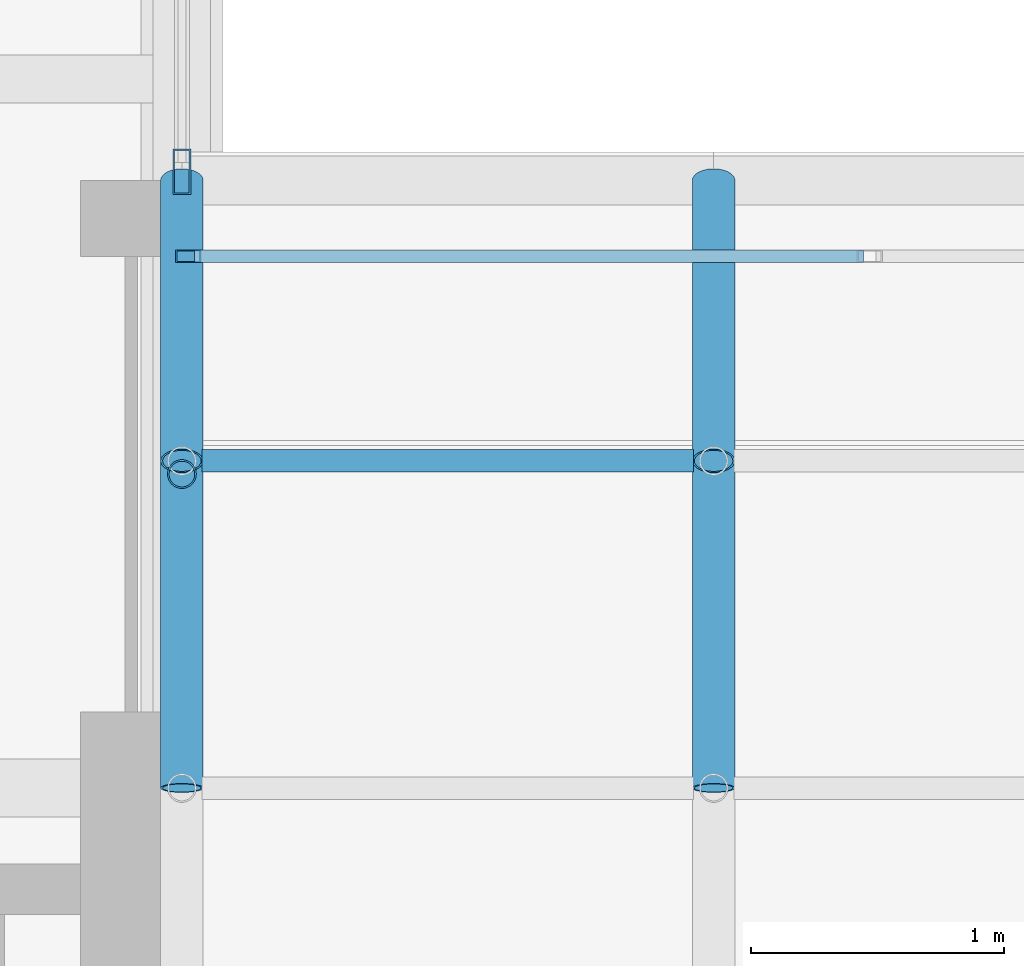
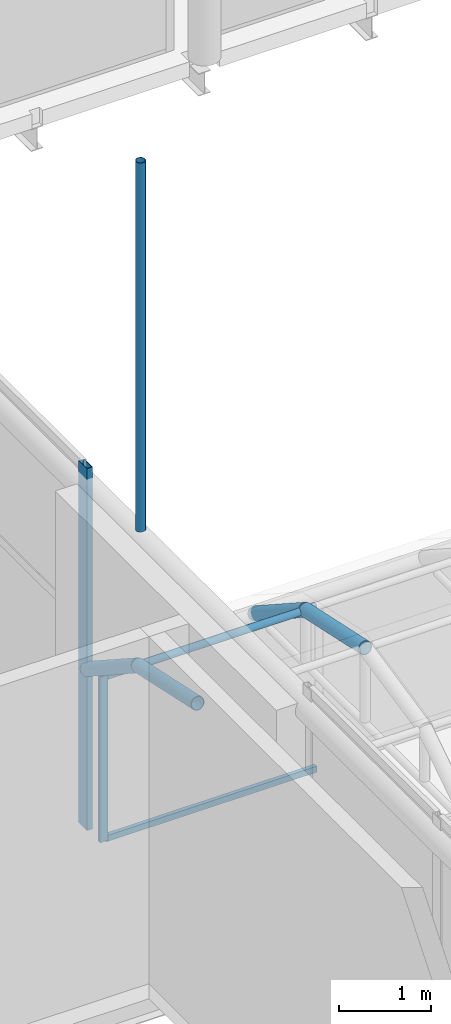
# One storey, part 36 of 167: 10 members, 2 elements without a shape of their own.
"""IFC4 building model written with IfcOpenShell, lengths in metres."""

from ifc_helpers import new_model, si_unit, direction, frame, origin, origin_2d, place, context, subcontext, project, spatial, hollow_rectangle, hollow_circle, extrude, material, material_profile, profile_set, type_object, element, aggregate, save


model = new_model("IFC4")

# Units and contexts
model_context = context("Model", 3, precision=1e-05, world=origin(), true_north=direction((0.0, 1.0)))
body_context = subcontext(model_context, "Body", "Model", "MODEL_VIEW")
ifc_project = project(units=[si_unit("LENGTHUNIT", "METRE"), si_unit("AREAUNIT", "SQUARE_METRE"), si_unit("VOLUMEUNIT", "CUBIC_METRE"), si_unit("PLANEANGLEUNIT", "RADIAN"), si_unit("MASSUNIT", "GRAM", prefix="KILO")], contexts=[model_context])

# Site, building, storey
site_placement = place(None, origin())
site = spatial("IfcSite", under=ifc_project, at=site_placement, CompositionType="ELEMENT")
building_placement = place(site_placement, origin())
building = spatial("IfcBuilding", under=site, at=building_placement, Name="Catenary Quay Ferry Terminal", CompositionType="ELEMENT")
storey_placement = place(building_placement, frame((0.0, 0.0, 6.0)))
storey = spatial("IfcBuildingStorey", under=building, at=storey_placement, Name="L01", CompositionType="ELEMENT", Elevation=6.0)

# Member
ifc_material_1 = material(Name="Steel S355", Category="steel")
ifc_material_profile_1 = material_profile(ifc_material_1, hollow_circle(Radius=0.05712890625, WallThickness=0.00634765625, at=origin_2d()), Name="CHS 114.3x6.3")
ifc_profile_set_1 = profile_set([ifc_material_profile_1], Name="Steel S355")
member_type_1 = type_object("IfcMemberType", Name="HG1 CHS 114.3x6.3", PredefinedType="POST", material=ifc_profile_set_1)
member_1_placement = place(storey_placement, frame((92.39990234375, 76.840087890625, 4.654052734375), z_axis=(0.0, 0.0, 1.0), x_axis=(1.0, 0.0, 0.0)))
element("IfcMember", 1, at=member_1_placement, inside=storey, type_object=member_type_1, Name="Hanger VA-09-03", PredefinedType="POST", context=body_context, shape_type="SweptSolid", body=[
    extrude(hollow_circle(Radius=0.05712890625, WallThickness=0.00634765625, at=origin_2d()), origin(), (0.0, 0.0, 1.0), 4.89599609375),
])

# Curtain wall, member
ifc_material_2 = material(Name="Aluminium and glass", Category="aluminium")
curtain_wall_type_1 = type_object("IfcCurtainWallType", Name="CWB", PredefinedType="NOTDEFINED", material=ifc_material_2)
curtain_wall_1_placement = place(storey_placement, origin())
curtain_wall_1 = element("IfcCurtainWall", 2, at=curtain_wall_1_placement, inside=storey, type_object=curtain_wall_type_1, Name="BB1 curtain wall CW60", PredefinedType="NOTDEFINED")
ifc_material_3 = material(Name="Aluminium", Category="aluminium")
ifc_material_profile_2 = material_profile(ifc_material_3, hollow_rectangle(XDim=0.050048828125, YDim=0.10009765625, WallThickness=0.0048828125, at=origin_2d()), Name="MU1")
ifc_profile_set_2 = profile_set([ifc_material_profile_2], Name="Aluminium")
member_type_2 = type_object("IfcMemberType", Name="MU1", PredefinedType="MULLION", material=ifc_profile_set_2)
member_2_placement = place(storey_placement, frame((92.425048828125, 77.699951171875, 0.0), z_axis=(0.0, 0.0, 1.0), x_axis=(0.0, 1.0, 0.0)))
member_2 = element("IfcMember", 3, at=member_2_placement, type_object=member_type_2, Name="CW60 mullion 1", PredefinedType="MULLION", context=body_context, shape_type="SweptSolid", body=[
    extrude(hollow_rectangle(XDim=0.050048828125, YDim=0.10009765625, WallThickness=0.0048828125, at=origin_2d()), origin(), (0.0, 0.0, 1.0), 2.195068359375),
])

ifc_material_4 = material(Name="Aluminium and glass", Category="aluminium")
curtain_wall_type_2 = type_object("IfcCurtainWallType", Name="CWM", PredefinedType="NOTDEFINED", material=ifc_material_4)
curtain_wall_2_placement = place(storey_placement, origin())
curtain_wall_2 = element("IfcCurtainWall", 4, at=curtain_wall_2_placement, inside=storey, type_object=curtain_wall_type_2, Name="Gable arrivals hall curtain wall CW10", PredefinedType="NOTDEFINED")
ifc_material_5 = material(Name="Aluminium", Category="aluminium")
ifc_material_profile_3 = material_profile(ifc_material_5, hollow_rectangle(XDim=0.070068359375, YDim=0.179931640625, WallThickness=0.006103515625, at=origin_2d()), Name="MU3")
ifc_profile_set_3 = profile_set([ifc_material_profile_3], Name="Aluminium")
member_type_3 = type_object("IfcMemberType", Name="MU3", PredefinedType="MULLION", material=ifc_profile_set_3)
member_3_placement = place(storey_placement, frame((92.39990234375, 78.034912109375, 0.0), z_axis=(0.0, 0.0, 1.0), x_axis=(-1.0, 0.0, 0.0)))
member_3 = element("IfcMember", 5, at=member_3_placement, type_object=member_type_3, Name="CW10 mullion 1", PredefinedType="MULLION", context=body_context, shape_type="SweptSolid", body=[
    extrude(hollow_rectangle(XDim=0.070068359375, YDim=0.179931640625, WallThickness=0.006103515625, at=origin_2d()), origin(), (0.0, 0.0, 1.0), 4.800048828125),
])
aggregate(curtain_wall_2, [member_3])

# Member
ifc_material_6 = material(Name="Steel S355", Category="steel")
ifc_material_profile_4 = material_profile(ifc_material_6, hollow_circle(Radius=0.04443359375, WallThickness=0.0048828125, at=origin_2d()), Name="CHS 88.9x5")
ifc_profile_set_4 = profile_set([ifc_material_profile_4], Name="Steel S355")
member_type_4 = type_object("IfcMemberType", Name="PU3 CHS 88.9x5", PredefinedType="PURLIN", material=ifc_profile_set_4)
member_4_placement = place(storey_placement, frame((92.47998046875, 76.89208984375, 2.821044921875), z_axis=(1.0, 0.0, 0.0), x_axis=(0.0, 1.0, 0.0)))
element("IfcMember", 6, at=member_4_placement, inside=storey, type_object=member_type_4, Name="Purlin PU-RB1-01-03", PredefinedType="PURLIN", context=body_context, shape_type="SweptSolid", body=[
    extrude(hollow_circle(Radius=0.04443359375, WallThickness=0.0048828125, at=origin_2d()), origin(), (0.0, 0.0, 1.0), 1.93994140625),
])

ifc_material_7 = material(Name="Aluminium", Category="aluminium")
ifc_material_profile_5 = material_profile(ifc_material_7, hollow_rectangle(XDim=0.050048828125, YDim=0.080078125, WallThickness=0.00390625, at=origin_2d()), Name="TR1")
ifc_profile_set_5 = profile_set([ifc_material_profile_5], Name="Aluminium")
member_type_5 = type_object("IfcMemberType", Name="TR1", PredefinedType="USERDEFINED", material=ifc_profile_set_5)
member_5_placement = place(storey_placement, frame((92.449951171875, 77.699951171875, 0.02490234375), z_axis=(1.0, 0.0, 0.0), x_axis=(0.0, 1.0, 0.0)))
member_5 = element("IfcMember", 7, at=member_5_placement, type_object=member_type_5, Name="CW60 transom 1.1", ObjectType="TRANSOM", PredefinedType="USERDEFINED", context=body_context, shape_type="SweptSolid", body=[
    extrude(hollow_rectangle(XDim=0.050048828125, YDim=0.080078125, WallThickness=0.00390625, at=origin_2d()), origin(), (0.0, 0.0, 1.0), 2.6416015625),
])

member_6_placement = place(storey_placement, frame((92.449951171875, 77.699951171875, 2.169921875), z_axis=(1.0, 0.0, 0.0), x_axis=(0.0, 1.0, 0.0)))
member_6 = element("IfcMember", 8, at=member_6_placement, type_object=member_type_5, Name="CW60 transom 1.2", ObjectType="TRANSOM", PredefinedType="USERDEFINED", context=body_context, shape_type="SweptSolid", body=[
    extrude(hollow_rectangle(XDim=0.050048828125, YDim=0.080078125, WallThickness=0.00390625, at=origin_2d()), origin(), (0.0, 0.0, 1.0), 2.6416015625),
])

aggregate(curtain_wall_1, [member_2, member_5, member_6])

# Members
ifc_material_8 = material(Name="Steel S355", Category="steel")
ifc_material_profile_6 = material_profile(ifc_material_8, hollow_circle(Radius=0.084228515625, WallThickness=0.008056640625, at=origin_2d()), Name="CHS 168.3x8")
ifc_profile_set_6 = profile_set([ifc_material_profile_6], Name="Steel S355")
member_type_6 = type_object("IfcMemberType", Name="VR4 CHS 168.3x8", PredefinedType="RAFTER", material=ifc_profile_set_6)
for number, where, z_axis, x_axis, name in (
    (9, (92.39990234375, 75.60009765625, 3.10009765625), (0.0, 0.977460543774, -0.211118178672), (-1.0, 0.0, 0.0), "rib RB1-01-03"),
    (10, (92.39990234375, 76.89208984375, 2.821044921875), (0.0, 0.838164997293, -0.545416755621), (-1.0, 0.0, 0.0), "rib RB1-01-04"),
    (11, (94.5, 75.60009765625, 3.10009765625), (0.0, 0.977460543774, -0.211118178672), (-1.0, 0.0, 0.0), "rib RB1-02-03"),
    (12, (94.5, 76.89208984375, 2.821044921875), (0.0, 0.838164997293, -0.545416755621), (-1.0, 0.0, 0.0), "rib RB1-02-04"),
):
    element("IfcMember", number, at=place(storey_placement, frame(where, z_axis=z_axis, x_axis=x_axis)), inside=storey, type_object=member_type_6, Name=name, PredefinedType="RAFTER", context=body_context, shape_type="SweptSolid", body=[
        extrude(hollow_circle(Radius=0.084228515625, WallThickness=0.008056640625, at=origin_2d()), origin(), (0.0, 0.0, 1.0), 1.32177734375),
    ])

save(model, "model.ifc")
